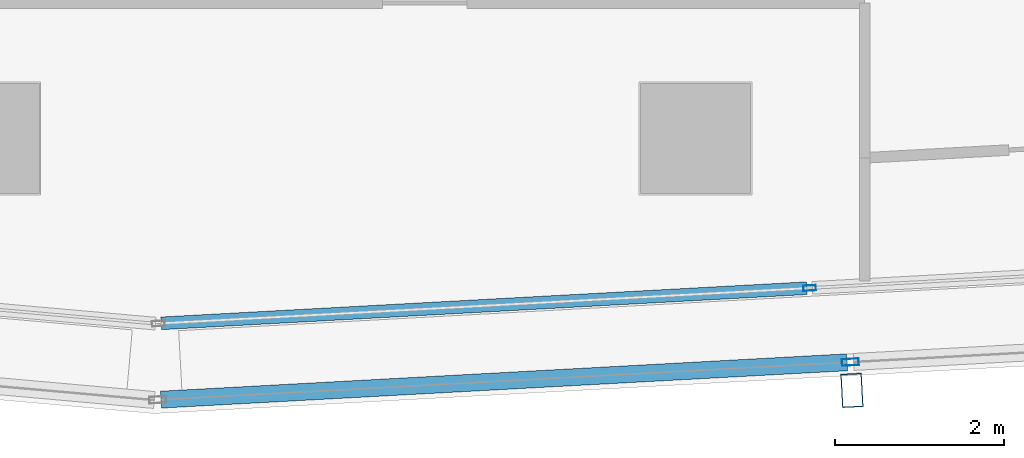
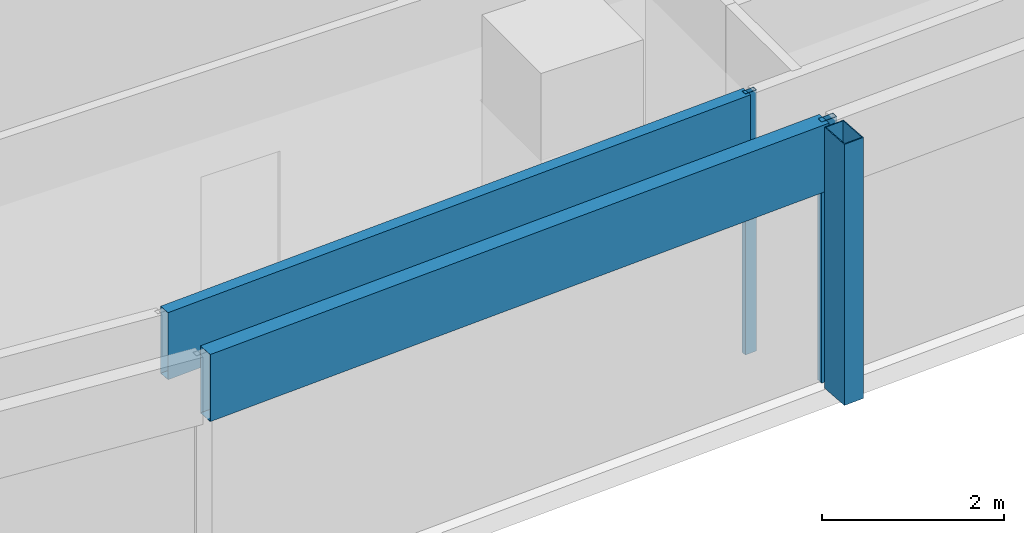
# One storey, part 6 of 29: 5 members, 2 elements without a shape of their own.
"""IFC4 building model written with IfcOpenShell, lengths in metres."""

from ifc_helpers import new_model, si_unit, direction, frame, origin, origin_2d, place, context, subcontext, project, spatial, hollow_rectangle, extrude, material, material_profile, profile_set, type_object, element, aggregate, save


model = new_model("IFC4")

# Units and contexts
model_context = context("Model", 3, precision=1e-05, world=origin(), true_north=direction((0.0, 1.0)))
body_context = subcontext(model_context, "Body", "Model", "MODEL_VIEW")
ifc_project = project(units=[si_unit("LENGTHUNIT", "METRE"), si_unit("AREAUNIT", "SQUARE_METRE"), si_unit("VOLUMEUNIT", "CUBIC_METRE"), si_unit("PLANEANGLEUNIT", "RADIAN"), si_unit("MASSUNIT", "GRAM", prefix="KILO")], contexts=[model_context])

# Site, building, storey
site_placement = place(None, origin())
site = spatial("IfcSite", under=ifc_project, at=site_placement, CompositionType="ELEMENT")
building_placement = place(site_placement, origin())
building = spatial("IfcBuilding", under=site, at=building_placement, Name="Rekha Terrace Tower", CompositionType="ELEMENT")
storey_placement = place(building_placement, frame((0.0, 0.0, 280.10009765625)))
storey = spatial("IfcBuildingStorey", under=building, at=storey_placement, Name="L71", CompositionType="ELEMENT", Elevation=280.10009765625)

# Curtain wall, member
ifc_material_1 = material(Name="Aluminium framing", Category="aluminium")
curtain_wall_type_1 = type_object("IfcCurtainWallType", Name="CW2 double skin outer glazing", PredefinedType="USERDEFINED", material=ifc_material_1)
curtain_wall_1_placement = place(storey_placement, origin())
curtain_wall_1 = element("IfcCurtainWall", 1, at=curtain_wall_1_placement, inside=storey, type_object=curtain_wall_type_1, Name="CW2 double skin outer glazing", ObjectType="DOUBLE SKIN OUTER GLAZING", PredefinedType="USERDEFINED")
ifc_material_2 = material(Name="Steel S355 with fluorocarbon finish", Category="steel")
ifc_material_profile_1 = material_profile(ifc_material_2, hollow_rectangle(XDim=0.25, YDim=0.39990234375, WallThickness=0.012451171875, at=origin_2d()), Name="RHS400x250x12.5")
ifc_profile_set_1 = profile_set([ifc_material_profile_1], Name="Steel S355 with fluorocarbon finish")
member_type_1 = type_object("IfcMemberType", Name="BL1 facade blade RHS 400 x 250", PredefinedType="USERDEFINED", material=ifc_profile_set_1)
member_1_placement = place(storey_placement, frame((35.4482421875, 13.82373046875, 0.0), z_axis=(0.0, 0.0, 1.0), x_axis=(0.99851982155, 0.054389024366, 0.0)))
member_1 = element("IfcMember", 2, at=member_1_placement, type_object=member_type_1, Name="Facade blade", ObjectType="FACADE BLADE", PredefinedType="USERDEFINED", context=body_context, shape_type="SweptSolid", body=[
    extrude(hollow_rectangle(XDim=0.25, YDim=0.39990234375, WallThickness=0.012451171875, at=origin_2d()), origin(), (0.0, 0.0, 1.0), 3.5),
])

# Curtain wall, members
curtain_wall_type_2 = type_object("IfcCurtainWallType", Name="CW1 double skin inner glazing", PredefinedType="USERDEFINED", material=ifc_material_1)
curtain_wall_2_placement = place(storey_placement, origin())
curtain_wall_2 = element("IfcCurtainWall", 3, at=curtain_wall_2_placement, inside=storey, type_object=curtain_wall_type_2, Name="CW1 double skin inner glazing", ObjectType="DOUBLE SKIN INNER GLAZING", PredefinedType="USERDEFINED")
ifc_material_3 = material(Name="Aluminium mullion section", Category="aluminium")
ifc_material_profile_2 = material_profile(ifc_material_3, hollow_rectangle(XDim=0.06494140625, YDim=0.14990234375, WallThickness=0.00390625, at=origin_2d()), Name="AL RHS 65x150")
ifc_profile_set_2 = profile_set([ifc_material_profile_2], Name="Aluminium mullion section")
member_type_2 = type_object("IfcMemberType", Name="CW1 mullion RHS 65 x 150", PredefinedType="MULLION", material=ifc_profile_set_2)
member_2_placement = place(storey_placement, frame((34.94775390625, 15.033447265625, 0.0), z_axis=(0.0, 0.0, 1.0), x_axis=(-0.054388903036, 0.998519828159, 0.0)))
member_2 = element("IfcMember", 4, at=member_2_placement, type_object=member_type_2, Name="CW1 mullion 2", PredefinedType="MULLION", context=body_context, shape_type="SweptSolid", body=[
    extrude(hollow_rectangle(XDim=0.06494140625, YDim=0.14990234375, WallThickness=0.00390625, at=origin_2d()), origin(), (0.0, 0.0, 1.0), 3.5),
])
ifc_material_4 = material(Name="Insulated aluminium spandrel box", Category="aluminium")
ifc_material_profile_3 = material_profile(ifc_material_4, hollow_rectangle(XDim=0.14990234375, YDim=0.89990234375, WallThickness=0.0029296875, at=origin_2d()), Name="AL SPANDREL BOX 150x900")
ifc_profile_set_3 = profile_set([ifc_material_profile_3], Name="Insulated aluminium spandrel box")
member_type_3 = type_object("IfcMemberType", Name="CW1 spandrel transom 150 x 900", PredefinedType="USERDEFINED", material=ifc_profile_set_3)
member_3_placement = place(storey_placement, frame((27.287109375, 14.6162109375, 3.0498046875), z_axis=(0.998521390426, 0.054360213958, 0.0), x_axis=(-0.054360213958, 0.998521390426, 0.0)))
member_3 = element("IfcMember", 5, at=member_3_placement, type_object=member_type_3, Name="CW1 spandrel transom 1", ObjectType="TRANSOM", PredefinedType="USERDEFINED", context=body_context, shape_type="SweptSolid", body=[
    extrude(hollow_rectangle(XDim=0.14990234375, YDim=0.89990234375, WallThickness=0.0029296875, at=origin_2d()), origin(), (0.0, 0.0, 1.0), 7.639404296875),
])
aggregate(curtain_wall_2, [member_2, member_3])

# Member
ifc_material_profile_4 = material_profile(ifc_material_3, hollow_rectangle(XDim=0.080078125, YDim=0.199951171875, WallThickness=0.00390625, at=origin_2d()), Name="AL RHS 80x200")
ifc_profile_set_4 = profile_set([ifc_material_profile_4], Name="Aluminium mullion section")
member_type_4 = type_object("IfcMemberType", Name="CW2 mullion RHS 80 x 200", PredefinedType="MULLION", material=ifc_profile_set_4)
member_4_placement = place(storey_placement, frame((35.429931640625, 14.158203125, 0.0), z_axis=(0.0, 0.0, 1.0), x_axis=(-0.054388903071, 0.998519828157, 0.0)))
member_4 = element("IfcMember", 6, at=member_4_placement, type_object=member_type_4, Name="CW2 mullion 2", PredefinedType="MULLION", context=body_context, shape_type="SweptSolid", body=[
    extrude(hollow_rectangle(XDim=0.080078125, YDim=0.199951171875, WallThickness=0.00390625, at=origin_2d()), origin(), (0.0, 0.0, 1.0), 3.5),
])

ifc_material_profile_5 = material_profile(ifc_material_4, hollow_rectangle(XDim=0.199951171875, YDim=0.89990234375, WallThickness=0.0029296875, at=origin_2d()), Name="AL SPANDREL BOX 200x900")
ifc_profile_set_5 = profile_set([ifc_material_profile_5], Name="Insulated aluminium spandrel box")
member_type_5 = type_object("IfcMemberType", Name="CW2 spandrel transom 200 x 900", PredefinedType="USERDEFINED", material=ifc_profile_set_5)
member_5_placement = place(storey_placement, frame((27.28662109375, 13.71484375, 3.0498046875), z_axis=(0.998521383998, 0.054360332034, 0.0), x_axis=(-0.054360332034, 0.998521383998, 0.0)))
member_5 = element("IfcMember", 7, at=member_5_placement, type_object=member_type_5, Name="CW2 spandrel transom 1", ObjectType="TRANSOM", PredefinedType="USERDEFINED", context=body_context, shape_type="SweptSolid", body=[
    extrude(hollow_rectangle(XDim=0.199951171875, YDim=0.89990234375, WallThickness=0.0029296875, at=origin_2d()), origin(), (0.0, 0.0, 1.0), 8.115478515625),
])

aggregate(curtain_wall_1, [member_4, member_5, member_1])

save(model, "model.ifc")
